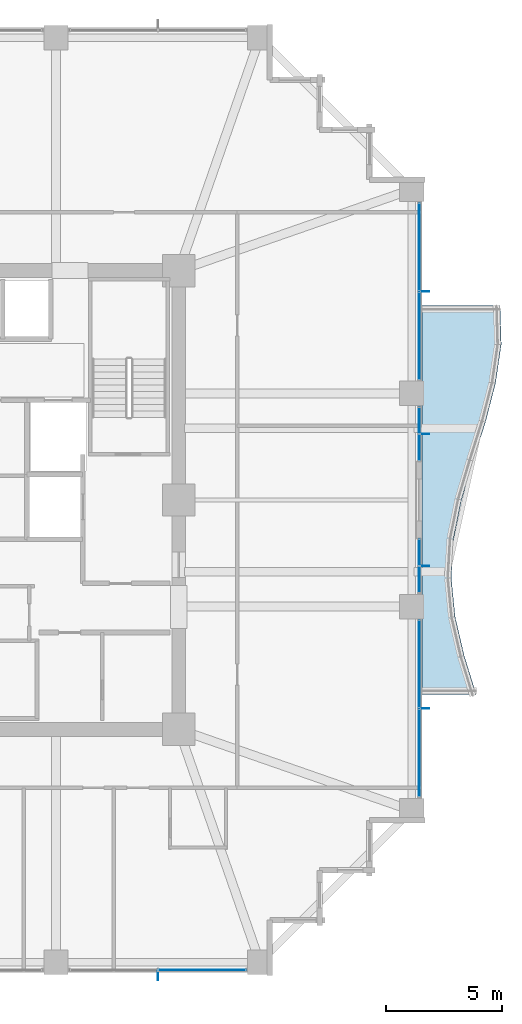
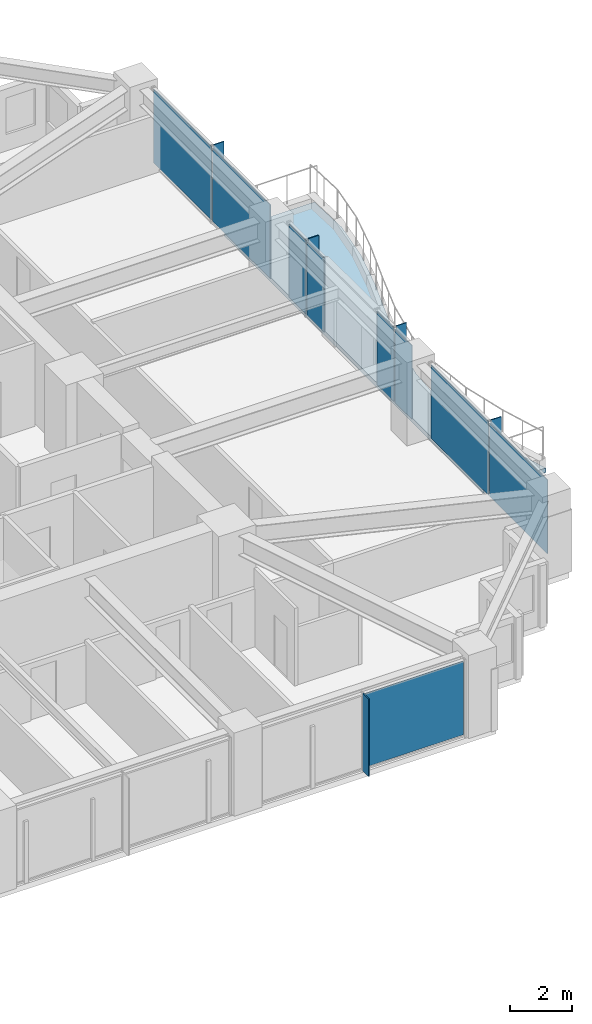
# One storey, part 28 of 36: 14 plates, 1 slab, 5 elements without a shape of their own.
"""IFC4 building model written with IfcOpenShell, lengths in metres."""

from ifc_helpers import new_model, si_unit, direction, frame, origin, origin_2d, place, context, subcontext, project, spatial, polyline, rectangle, outline, extrude, material, layer, layer_set, type_object, element, aggregate, save


model = new_model("IFC4")

# Units and contexts
model_context = context("Model", 3, precision=1e-05, world=origin(), true_north=direction((0.0, 1.0)))
body_context = subcontext(model_context, "Body", "Model", "MODEL_VIEW")
ifc_project = project(units=[si_unit("LENGTHUNIT", "METRE"), si_unit("AREAUNIT", "SQUARE_METRE"), si_unit("VOLUMEUNIT", "CUBIC_METRE"), si_unit("PLANEANGLEUNIT", "RADIAN"), si_unit("MASSUNIT", "GRAM", prefix="KILO")], contexts=[model_context])

# Site, building, storey
site_placement = place(None, origin())
site = spatial("IfcSite", under=ifc_project, at=site_placement, CompositionType="ELEMENT")
building_placement = place(site_placement, origin())
building = spatial("IfcBuilding", under=site, at=building_placement, Name="Kolvaren Belvedere", CompositionType="ELEMENT")
storey_placement = place(building_placement, frame((0.0, 0.0, 92.0)))
storey = spatial("IfcBuildingStorey", under=building, at=storey_placement, Name="L26", CompositionType="ELEMENT", Elevation=92.0)

# Curtain wall, plate
ifc_material_1 = material(Name="Anodised pale-metal aluminium AA 6063-T6", Category="aluminium")
curtain_wall_type = type_object("IfcCurtainWallType", Name="CW-Z2-MID", PredefinedType="NOTDEFINED", material=ifc_material_1)
curtain_wall_1_placement = place(storey_placement, origin())
curtain_wall_1 = element("IfcCurtainWall", 1, at=curtain_wall_1_placement, inside=storey, type_object=curtain_wall_type, Name="L26 Unitised Curtain Wall FCW-L26-S-B1", PredefinedType="NOTDEFINED")
ifc_material_2 = material(Name="Low-iron triple insulated glass", Category="glass")
ifc_layer_1 = layer(ifc_material_2, 0.028076171875)
ifc_layer_set_1 = layer_set([ifc_layer_1], Name="Low-iron triple insulated glass")
plate_type_1 = type_object("IfcPlateType", Name="CW-PNL-VIS28", PredefinedType="CURTAIN_PANEL", material=ifc_layer_set_1)
plate_1_placement = place(storey_placement, frame((10.9111328125, -20.280029296875, 0.080078125), z_axis=(0.0, 0.0, 1.0), x_axis=(-1.0, 0.0, 0.0)))
plate_1 = element("IfcPlate", 2, at=plate_1_placement, type_object=plate_type_1, Name="FCW-L26-S-B1 Vision Glazing Panel 1", PredefinedType="CURTAIN_PANEL", context=body_context, shape_type="SweptSolid", body=[
    extrude(rectangle(XDim=3.742431640625, YDim=0.028076171875, at=origin_2d()), origin(), (0.0, 0.0, 1.0), 2.919921875),
])
aggregate(curtain_wall_1, [plate_1])

# Curtain wall, plates
curtain_wall_2_placement = place(storey_placement, origin())
curtain_wall_2 = element("IfcCurtainWall", 3, at=curtain_wall_2_placement, inside=storey, type_object=curtain_wall_type, Name="L26 Unitised Curtain Wall FCW-L26-E1-B1", PredefinedType="NOTDEFINED")
plate_2_placement = place(storey_placement, frame((20.280029296875, 10.9111328125, 0.080078125), z_axis=(0.0, 0.0, 1.0), x_axis=(0.0, -1.0, 0.0)))
plate_2 = element("IfcPlate", 4, at=plate_2_placement, type_object=plate_type_1, Name="FCW-L26-E1-B1 Vision Glazing Panel 1", PredefinedType="CURTAIN_PANEL", context=body_context, shape_type="SweptSolid", body=[
    extrude(rectangle(XDim=3.742431640625, YDim=0.028076171875, at=origin_2d()), origin(), (0.0, 0.0, 1.0), 2.919921875),
])
plate_3_placement = place(storey_placement, frame((20.280029296875, 7.0888671875, 0.080078125), z_axis=(0.0, 0.0, 1.0), x_axis=(0.0, -1.0, 0.0)))
plate_3 = element("IfcPlate", 5, at=plate_3_placement, type_object=plate_type_1, Name="FCW-L26-E1-B1 Vision Glazing Panel 2", PredefinedType="CURTAIN_PANEL", context=body_context, shape_type="SweptSolid", body=[
    extrude(rectangle(XDim=3.742431640625, YDim=0.028076171875, at=origin_2d()), origin(), (0.0, 0.0, 1.0), 2.919921875),
])
aggregate(curtain_wall_2, [plate_2, plate_3])

curtain_wall_3_placement = place(storey_placement, origin())
curtain_wall_3 = element("IfcCurtainWall", 6, at=curtain_wall_3_placement, inside=storey, type_object=curtain_wall_type, Name="L26 Unitised Curtain Wall FCW-L26-E1-B2", PredefinedType="NOTDEFINED")
plate_4_placement = place(storey_placement, frame((20.280029296875, 3.43701171875, 0.080078125), z_axis=(0.0, 0.0, 1.0), x_axis=(0.0, -1.0, 0.0)))
plate_4 = element("IfcPlate", 7, at=plate_4_placement, type_object=plate_type_1, Name="FCW-L26-E1-B2 Vision Glazing Panel 1", PredefinedType="CURTAIN_PANEL", context=body_context, shape_type="SweptSolid", body=[
    extrude(rectangle(XDim=1.09130859375, YDim=0.028076171875, at=origin_2d()), origin(), (0.0, 0.0, 1.0), 2.919921875),
])
plate_5_placement = place(storey_placement, frame((20.280029296875, 2.265625, 0.080078125), z_axis=(0.0, 0.0, 1.0), x_axis=(0.0, -1.0, 0.0)))
plate_5 = element("IfcPlate", 8, at=plate_5_placement, type_object=plate_type_1, Name="FCW-L26-E1-B2 Vision Glazing Panel 2", PredefinedType="CURTAIN_PANEL", context=body_context, shape_type="SweptSolid", body=[
    extrude(rectangle(XDim=1.09130859375, YDim=0.028076171875, at=origin_2d()), origin(), (0.0, 0.0, 1.0), 2.919921875),
])
aggregate(curtain_wall_3, [plate_4, plate_5])

curtain_wall_4_placement = place(storey_placement, origin())
curtain_wall_4 = element("IfcCurtainWall", 9, at=curtain_wall_4_placement, inside=storey, type_object=curtain_wall_type, Name="L26 Unitised Curtain Wall FCW-L26-E2-B1", PredefinedType="NOTDEFINED")
plate_6_placement = place(storey_placement, frame((20.280029296875, -2.265625, 0.080078125), z_axis=(0.0, 0.0, 1.0), x_axis=(0.0, -1.0, 0.0)))
plate_6 = element("IfcPlate", 10, at=plate_6_placement, type_object=plate_type_1, Name="FCW-L26-E2-B1 Vision Glazing Panel 1", PredefinedType="CURTAIN_PANEL", context=body_context, shape_type="SweptSolid", body=[
    extrude(rectangle(XDim=1.09130859375, YDim=0.028076171875, at=origin_2d()), origin(), (0.0, 0.0, 1.0), 2.919921875),
])
plate_7_placement = place(storey_placement, frame((20.280029296875, -3.43701171875, 0.080078125), z_axis=(0.0, 0.0, 1.0), x_axis=(0.0, -1.0, 0.0)))
plate_7 = element("IfcPlate", 11, at=plate_7_placement, type_object=plate_type_1, Name="FCW-L26-E2-B1 Vision Glazing Panel 2", PredefinedType="CURTAIN_PANEL", context=body_context, shape_type="SweptSolid", body=[
    extrude(rectangle(XDim=1.09130859375, YDim=0.028076171875, at=origin_2d()), origin(), (0.0, 0.0, 1.0), 2.919921875),
])
aggregate(curtain_wall_4, [plate_6, plate_7])

curtain_wall_5_placement = place(storey_placement, origin())
curtain_wall_5 = element("IfcCurtainWall", 12, at=curtain_wall_5_placement, inside=storey, type_object=curtain_wall_type, Name="L26 Unitised Curtain Wall FCW-L26-E2-B2", PredefinedType="NOTDEFINED")
plate_8_placement = place(storey_placement, frame((20.280029296875, -7.0888671875, 0.080078125), z_axis=(0.0, 0.0, 1.0), x_axis=(0.0, -1.0, 0.0)))
plate_8 = element("IfcPlate", 13, at=plate_8_placement, type_object=plate_type_1, Name="FCW-L26-E2-B2 Vision Glazing Panel 1", PredefinedType="CURTAIN_PANEL", context=body_context, shape_type="SweptSolid", body=[
    extrude(rectangle(XDim=3.742431640625, YDim=0.028076171875, at=origin_2d()), origin(), (0.0, 0.0, 1.0), 2.919921875),
])
plate_9_placement = place(storey_placement, frame((20.280029296875, -10.9111328125, 0.080078125), z_axis=(0.0, 0.0, 1.0), x_axis=(0.0, -1.0, 0.0)))
plate_9 = element("IfcPlate", 14, at=plate_9_placement, type_object=plate_type_1, Name="FCW-L26-E2-B2 Vision Glazing Panel 2", PredefinedType="CURTAIN_PANEL", context=body_context, shape_type="SweptSolid", body=[
    extrude(rectangle(XDim=3.742431640625, YDim=0.028076171875, at=origin_2d()), origin(), (0.0, 0.0, 1.0), 2.919921875),
])
aggregate(curtain_wall_5, [plate_8, plate_9])

# Plates
ifc_material_3 = material(Name="Anodised pale-metal aluminium AA 6063-T6", Category="aluminium")
ifc_layer_2 = layer(ifc_material_3, 0.033935546875)
ifc_layer_set_2 = layer_set([ifc_layer_2], Name="Anodised pale-metal aluminium AA 6063-T6")
plate_type_2 = type_object("IfcPlateType", Name="FIN-VERT-380", PredefinedType="USERDEFINED", material=ifc_layer_set_2)
for number, where, z_axis, x_axis, name in (
    (15, (9.0, -20.52490234375, 0.0), (0.0, 0.0, 1.0), (0.0, 1.0, 0.0), "L26 Pale-Metal Vertical Shading Fin FCW-L26-S-B1-1"),
    (16, (20.52490234375, 9.0, 0.0), (0.0, 0.0, 1.0), (1.0, 0.0, 0.0), "L26 Pale-Metal Vertical Shading Fin FCW-L26-E1-B1-1"),
    (17, (20.52490234375, 2.851318359375, 0.0), (0.0, 0.0, 1.0), (1.0, 0.0, 0.0), "L26 Pale-Metal Vertical Shading Fin FCW-L26-E1-B2-1"),
    (18, (20.52490234375, -2.851318359375, 0.0), (0.0, 0.0, 1.0), (1.0, 0.0, 0.0), "L26 Pale-Metal Vertical Shading Fin FCW-L26-E2-B1-1"),
    (19, (20.52490234375, -9.0, 0.0), (0.0, 0.0, 1.0), (1.0, 0.0, 0.0), "L26 Pale-Metal Vertical Shading Fin FCW-L26-E2-B2-1"),
):
    element("IfcPlate", number, at=place(storey_placement, frame(where, z_axis=z_axis, x_axis=x_axis)), inside=storey, type_object=plate_type_2, Name=name, ObjectType="VERTICAL FIN", PredefinedType="USERDEFINED", context=body_context, shape_type="SweptSolid", body=[
        extrude(rectangle(XDim=0.3798828125, YDim=0.033935546875, at=origin_2d()), origin(), (0.0, 0.0, 1.0), 3.080078125),
    ])

# Slab
ifc_material_4 = material(Name="Concrete C50/60", Category="concrete")
ifc_layer_3 = layer(ifc_material_4, 0.179931640625)
ifc_layer_set_3 = layer_set([ifc_layer_3], Name="Concrete C50/60")
slab_type = type_object("IfcSlabType", Name="SL-BAL-180", PredefinedType="FLOOR", material=ifc_layer_set_3)
slab_placement = place(storey_placement, frame((0.0, 0.0, -0.219970703125)))
element("IfcSlab", 20, at=slab_placement, inside=storey, type_object=slab_type, Name="L26 Planted Balcony BAL-E", PredefinedType="FLOOR", context=body_context, shape_type="SweptSolid", body=[
    extrude(outline(polyline([(22.739990234375, -8.39990234375), (22.2197265625, -6.719970703125), (21.828125, -5.0400390625), (21.662109375, -3.360107421875), (21.7626953125, -1.679931640625), (22.105224609375, 0.0), (22.6044921875, 1.679931640625), (23.1376953125, 3.360107421875), (23.572265625, 5.0400390625), (23.820068359375, 6.719970703125), (23.76708984375, 8.39990234375), (20.39990234375, 8.39990234375), (20.39990234375, 6.719970703125), (20.39990234375, 5.0400390625), (20.39990234375, 3.360107421875), (20.39990234375, 1.679931640625), (20.39990234375, 0.0), (20.39990234375, -1.679931640625), (20.39990234375, -3.360107421875), (20.39990234375, -5.0400390625), (20.39990234375, -6.719970703125), (20.39990234375, -8.39990234375), (22.739990234375, -8.39990234375)])), origin(), (0.0, 0.0, 1.0), 0.179931640625),
])

save(model, "model.ifc")
